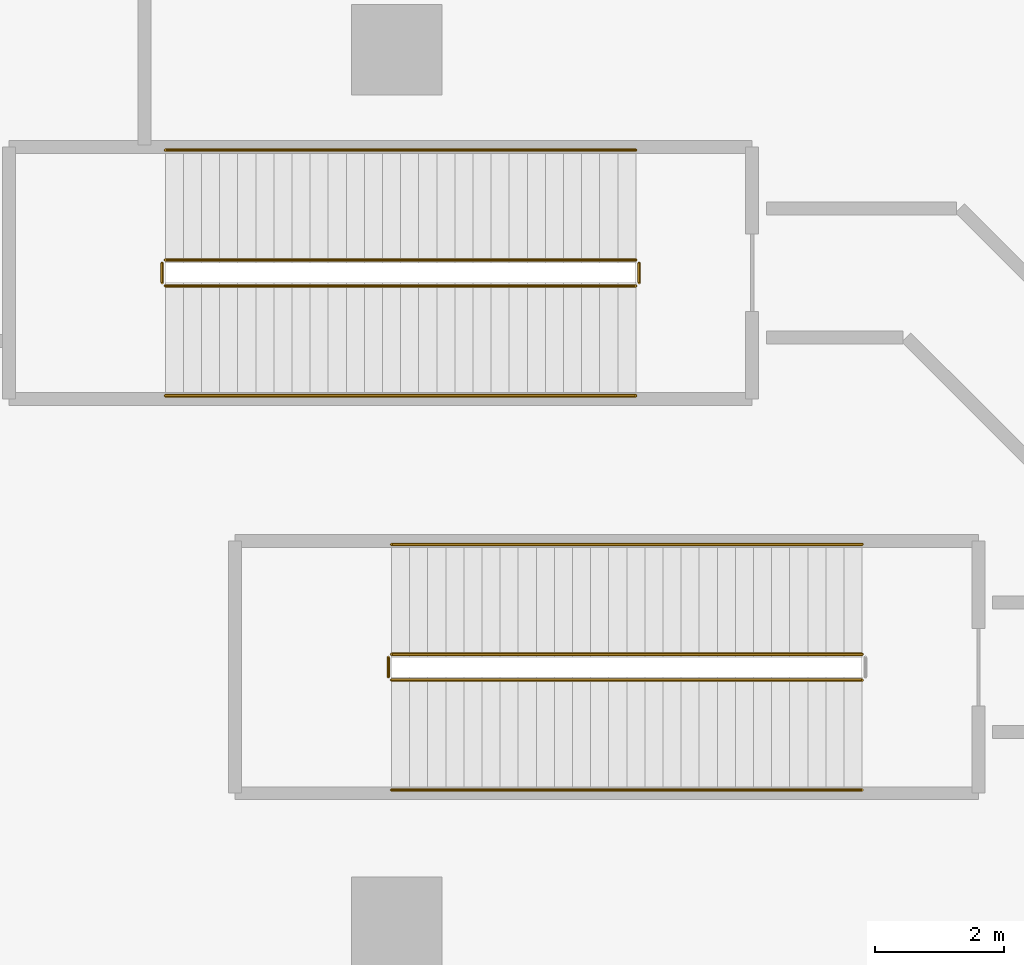
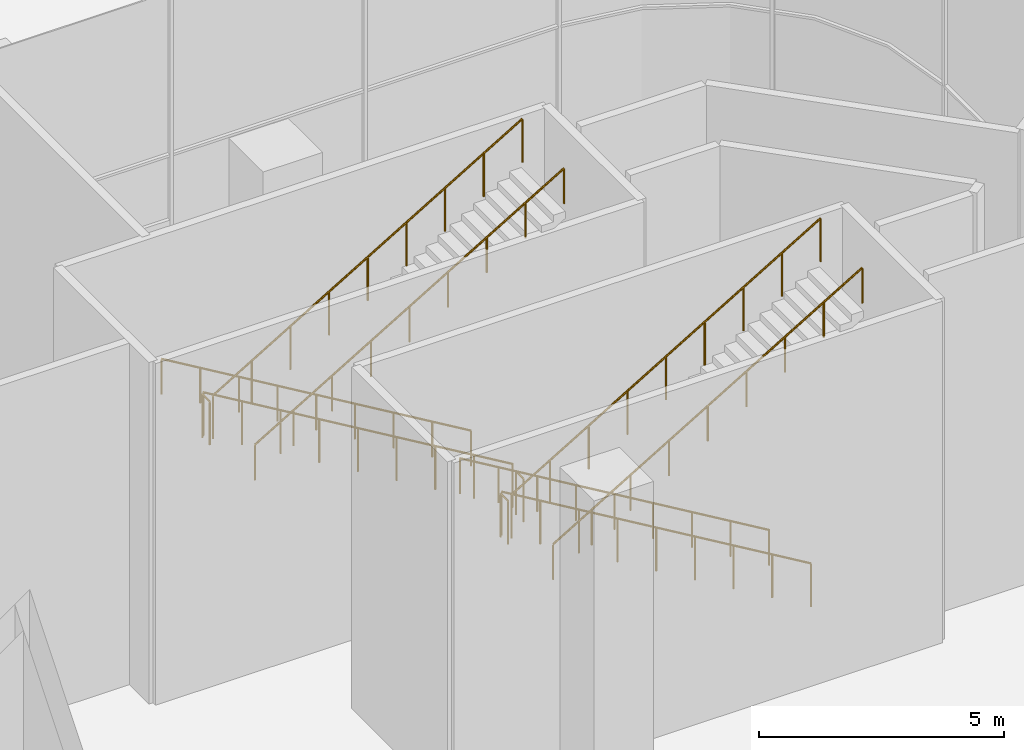
# One storey, part 50 of 54: 11 railings.
"""IFC4 building model written with IfcOpenShell, lengths in metres."""

from ifc_helpers import new_model, si_unit, direction, frame, origin, origin_2d, place, context, subcontext, project, spatial, circle, extrude, material, type_object, element, save


model = new_model("IFC4")

# Units and contexts
model_context = context("Model", 3, precision=1e-05, world=origin(), true_north=direction((0.0, 1.0)))
body_context = subcontext(model_context, "Body", "Model", "MODEL_VIEW")
ifc_project = project(units=[si_unit("LENGTHUNIT", "METRE"), si_unit("AREAUNIT", "SQUARE_METRE"), si_unit("VOLUMEUNIT", "CUBIC_METRE"), si_unit("PLANEANGLEUNIT", "RADIAN"), si_unit("MASSUNIT", "GRAM", prefix="KILO")], contexts=[model_context])

# Site, building, storey
site_placement = place(None, origin())
site = spatial("IfcSite", under=ifc_project, at=site_placement, CompositionType="ELEMENT")
building_placement = place(site_placement, origin())
building = spatial("IfcBuilding", under=site, at=building_placement, Name="Tamarind Cross Interchange Tower", CompositionType="ELEMENT")
storey_placement = place(building_placement, origin())
storey = spatial("IfcBuildingStorey", under=building, at=storey_placement, Name="L00", CompositionType="ELEMENT", Elevation=0.0)

# Railings
ifc_material_1 = material(Name="Public stair guard")
railing_type_1 = type_object("IfcRailingType", Name="Public stair guard", PredefinedType="GUARDRAIL", material=ifc_material_1)
railing_1_placement = place(storey_placement, frame((57.699951171875, 50.75, 0.166748046875)))
element("IfcRailing", 1, at=railing_1_placement, inside=storey, type_object=railing_type_1, Name="L00 XS-P01 stair guard 1", PredefinedType="GUARDRAIL", context=body_context, shape_type="SweptSolid", body=[
    extrude(circle(Radius=0.02392578125, at=origin_2d()), frame((0.0, 0.0, 1.076171875), z_axis=(-0.859298010897, 0.0, 0.511475247171), x_axis=(0.0, -1.0, 0.0)), (0.0, 0.0, 1.0), 8.47216796875),
    extrude(circle(Radius=0.02099609375, at=origin_2d()), origin(), (0.0, 0.0, 1.0), 1.052001953125),
    extrude(circle(Radius=0.02099609375, at=origin_2d()), frame((-0.909912109375, 0.0, 0.541748046875)), (0.0, 0.0, 1.0), 1.052001953125),
    extrude(circle(Radius=0.02099609375, at=origin_2d()), frame((-1.820068359375, 0.0, 1.083251953125)), (0.0, 0.0, 1.0), 1.052001953125),
    extrude(circle(Radius=0.02099609375, at=origin_2d()), frame((-2.72998046875, 0.0, 1.625)), (0.0, 0.0, 1.0), 1.052001953125),
    extrude(circle(Radius=0.02099609375, at=origin_2d()), frame((-3.64013671875, 0.0, 2.16650390625)), (0.0, 0.0, 1.0), 1.052001953125),
    extrude(circle(Radius=0.02099609375, at=origin_2d()), frame((-4.550048828125, 0.0, 2.708251953125)), (0.0, 0.0, 1.0), 1.052001953125),
    extrude(circle(Radius=0.02099609375, at=origin_2d()), frame((-5.4599609375, 0.0, 3.25)), (0.0, 0.0, 1.0), 1.052001953125),
    extrude(circle(Radius=0.02099609375, at=origin_2d()), frame((-6.3701171875, 0.0, 3.79150390625)), (0.0, 0.0, 1.0), 1.052001953125),
    extrude(circle(Radius=0.02099609375, at=origin_2d()), frame((-7.280029296875, 0.0, 4.333251953125)), (0.0, 0.0, 1.0), 1.052001953125),
])
railing_2_placement = place(storey_placement, frame((50.3701171875, 50.699951171875, 4.5)))
element("IfcRailing", 2, at=railing_2_placement, inside=storey, type_object=railing_type_1, Name="L00 XS-P01 stair guard 2", PredefinedType="GUARDRAIL", context=body_context, shape_type="SweptSolid", body=[
    extrude(circle(Radius=0.02392578125, at=origin_2d()), frame((0.0, 0.0, 1.076171875), z_axis=(0.0, -1.0, 0.0), x_axis=(1.0, 0.0, 0.0)), (0.0, 0.0, 1.0), 0.300048828125),
    extrude(circle(Radius=0.02099609375, at=origin_2d()), origin(), (0.0, 0.0, 1.0), 1.052001953125),
    extrude(circle(Radius=0.02099609375, at=origin_2d()), frame((0.0, -0.300048828125, 0.0)), (0.0, 0.0, 1.0), 1.052001953125),
])
railing_3_placement = place(storey_placement, frame((50.419921875, 50.35009765625, 4.666748046875)))
element("IfcRailing", 3, at=railing_3_placement, inside=storey, type_object=railing_type_1, Name="L00 XS-P01 stair guard 3", PredefinedType="GUARDRAIL", context=body_context, shape_type="SweptSolid", body=[
    extrude(circle(Radius=0.02392578125, at=origin_2d()), frame((0.0, 0.0, 1.076171875), z_axis=(0.859298010897, 0.0, 0.511475247171), x_axis=(0.0, 1.0, 0.0)), (0.0, 0.0, 1.0), 8.47216796875),
    extrude(circle(Radius=0.02099609375, at=origin_2d()), origin(), (0.0, 0.0, 1.0), 1.052001953125),
    extrude(circle(Radius=0.02099609375, at=origin_2d()), frame((0.909912109375, 0.0, 0.541748046875)), (0.0, 0.0, 1.0), 1.052001953125),
    extrude(circle(Radius=0.02099609375, at=origin_2d()), frame((1.820068359375, 0.0, 1.083251953125)), (0.0, 0.0, 1.0), 1.052001953125),
    extrude(circle(Radius=0.02099609375, at=origin_2d()), frame((2.72998046875, 0.0, 1.625)), (0.0, 0.0, 1.0), 1.052001953125),
    extrude(circle(Radius=0.02099609375, at=origin_2d()), frame((3.64013671875, 0.0, 2.16650390625)), (0.0, 0.0, 1.0), 1.052001953125),
    extrude(circle(Radius=0.02099609375, at=origin_2d()), frame((4.550048828125, 0.0, 2.708251953125)), (0.0, 0.0, 1.0), 1.052001953125),
    extrude(circle(Radius=0.02099609375, at=origin_2d()), frame((5.4599609375, 0.0, 3.25)), (0.0, 0.0, 1.0), 1.052001953125),
    extrude(circle(Radius=0.02099609375, at=origin_2d()), frame((6.3701171875, 0.0, 3.79150390625)), (0.0, 0.0, 1.0), 1.052001953125),
    extrude(circle(Radius=0.02099609375, at=origin_2d()), frame((7.280029296875, 0.0, 4.333251953125)), (0.0, 0.0, 1.0), 1.052001953125),
])
railing_4_placement = place(storey_placement, frame((57.75, 50.699951171875, 0.0)))
element("IfcRailing", 4, at=railing_4_placement, inside=storey, type_object=railing_type_1, Name="L00 XS-P01 stair guard 4", PredefinedType="GUARDRAIL", context=body_context, shape_type="SweptSolid", body=[
    extrude(circle(Radius=0.02392578125, at=origin_2d()), frame((0.0, 0.0, 1.076171875), z_axis=(0.0, -1.0, 0.0), x_axis=(1.0, 0.0, 0.0)), (0.0, 0.0, 1.0), 0.300048828125),
    extrude(circle(Radius=0.02099609375, at=origin_2d()), origin(), (0.0, 0.0, 1.0), 1.052001953125),
    extrude(circle(Radius=0.02099609375, at=origin_2d()), frame((0.0, -0.300048828125, 0.0)), (0.0, 0.0, 1.0), 1.052001953125),
])
railing_5_placement = place(storey_placement, frame((61.199951171875, 44.64990234375, 0.166748046875)))
element("IfcRailing", 5, at=railing_5_placement, inside=storey, type_object=railing_type_1, Name="L00 XS-P02 stair guard 1", PredefinedType="GUARDRAIL", context=body_context, shape_type="SweptSolid", body=[
    extrude(circle(Radius=0.02392578125, at=origin_2d()), frame((0.0, 0.0, 1.076171875), z_axis=(-0.859298010897, 0.0, 0.511475247171), x_axis=(0.0, -1.0, 0.0)), (0.0, 0.0, 1.0), 8.47216796875),
    extrude(circle(Radius=0.02099609375, at=origin_2d()), origin(), (0.0, 0.0, 1.0), 1.052001953125),
    extrude(circle(Radius=0.02099609375, at=origin_2d()), frame((-0.909912109375, 0.0, 0.541748046875)), (0.0, 0.0, 1.0), 1.052001953125),
    extrude(circle(Radius=0.02099609375, at=origin_2d()), frame((-1.820068359375, 0.0, 1.083251953125)), (0.0, 0.0, 1.0), 1.052001953125),
    extrude(circle(Radius=0.02099609375, at=origin_2d()), frame((-2.72998046875, 0.0, 1.625)), (0.0, 0.0, 1.0), 1.052001953125),
    extrude(circle(Radius=0.02099609375, at=origin_2d()), frame((-3.64013671875, 0.0, 2.16650390625)), (0.0, 0.0, 1.0), 1.052001953125),
    extrude(circle(Radius=0.02099609375, at=origin_2d()), frame((-4.550048828125, 0.0, 2.708251953125)), (0.0, 0.0, 1.0), 1.052001953125),
    extrude(circle(Radius=0.02099609375, at=origin_2d()), frame((-5.4599609375, 0.0, 3.25)), (0.0, 0.0, 1.0), 1.052001953125),
    extrude(circle(Radius=0.02099609375, at=origin_2d()), frame((-6.3701171875, 0.0, 3.79150390625)), (0.0, 0.0, 1.0), 1.052001953125),
    extrude(circle(Radius=0.02099609375, at=origin_2d()), frame((-7.280029296875, 0.0, 4.333251953125)), (0.0, 0.0, 1.0), 1.052001953125),
])
railing_6_placement = place(storey_placement, frame((53.8701171875, 44.60009765625, 4.5)))
element("IfcRailing", 6, at=railing_6_placement, inside=storey, type_object=railing_type_1, Name="L00 XS-P02 stair guard 2", PredefinedType="GUARDRAIL", context=body_context, shape_type="SweptSolid", body=[
    extrude(circle(Radius=0.02392578125, at=origin_2d()), frame((0.0, 0.0, 1.076171875), z_axis=(0.0, -1.0, 0.0), x_axis=(1.0, 0.0, 0.0)), (0.0, 0.0, 1.0), 0.300048828125),
    extrude(circle(Radius=0.02099609375, at=origin_2d()), origin(), (0.0, 0.0, 1.0), 1.052001953125),
    extrude(circle(Radius=0.02099609375, at=origin_2d()), frame((0.0, -0.300048828125, 0.0)), (0.0, 0.0, 1.0), 1.052001953125),
])
railing_7_placement = place(storey_placement, frame((53.919921875, 44.25, 4.666748046875)))
element("IfcRailing", 7, at=railing_7_placement, inside=storey, type_object=railing_type_1, Name="L00 XS-P02 stair guard 3", PredefinedType="GUARDRAIL", context=body_context, shape_type="SweptSolid", body=[
    extrude(circle(Radius=0.02392578125, at=origin_2d()), frame((0.0, 0.0, 1.076171875), z_axis=(0.859298010897, 0.0, 0.511475247171), x_axis=(0.0, 1.0, 0.0)), (0.0, 0.0, 1.0), 8.47216796875),
    extrude(circle(Radius=0.02099609375, at=origin_2d()), origin(), (0.0, 0.0, 1.0), 1.052001953125),
    extrude(circle(Radius=0.02099609375, at=origin_2d()), frame((0.909912109375, 0.0, 0.541748046875)), (0.0, 0.0, 1.0), 1.052001953125),
    extrude(circle(Radius=0.02099609375, at=origin_2d()), frame((1.820068359375, 0.0, 1.083251953125)), (0.0, 0.0, 1.0), 1.052001953125),
    extrude(circle(Radius=0.02099609375, at=origin_2d()), frame((2.72998046875, 0.0, 1.625)), (0.0, 0.0, 1.0), 1.052001953125),
    extrude(circle(Radius=0.02099609375, at=origin_2d()), frame((3.64013671875, 0.0, 2.16650390625)), (0.0, 0.0, 1.0), 1.052001953125),
    extrude(circle(Radius=0.02099609375, at=origin_2d()), frame((4.550048828125, 0.0, 2.708251953125)), (0.0, 0.0, 1.0), 1.052001953125),
    extrude(circle(Radius=0.02099609375, at=origin_2d()), frame((5.4599609375, 0.0, 3.25)), (0.0, 0.0, 1.0), 1.052001953125),
    extrude(circle(Radius=0.02099609375, at=origin_2d()), frame((6.3701171875, 0.0, 3.79150390625)), (0.0, 0.0, 1.0), 1.052001953125),
    extrude(circle(Radius=0.02099609375, at=origin_2d()), frame((7.280029296875, 0.0, 4.333251953125)), (0.0, 0.0, 1.0), 1.052001953125),
])
ifc_material_2 = material(Name="Public stair handrail")
railing_type_2 = type_object("IfcRailingType", Name="Public stair handrail", PredefinedType="HANDRAIL", material=ifc_material_2)
railing_8_placement = place(storey_placement, frame((57.699951171875, 52.449951171875, 0.166748046875)))
element("IfcRailing", 8, at=railing_8_placement, inside=storey, type_object=railing_type_2, Name="L00 XS-P01 stair handrail 1", PredefinedType="HANDRAIL", context=body_context, shape_type="SweptSolid", body=[
    extrude(circle(Radius=0.02392578125, at=origin_2d()), frame((0.0, 0.0, 0.8759765625), z_axis=(-0.859298010897, 0.0, 0.511475247171), x_axis=(0.0, -1.0, 0.0)), (0.0, 0.0, 1.0), 8.47216796875),
    extrude(circle(Radius=0.02099609375, at=origin_2d()), origin(), (0.0, 0.0, 1.0), 0.851806640625),
    extrude(circle(Radius=0.02099609375, at=origin_2d()), frame((-0.909912109375, 0.0, 0.541748046875)), (0.0, 0.0, 1.0), 0.851806640625),
    extrude(circle(Radius=0.02099609375, at=origin_2d()), frame((-1.820068359375, 0.0, 1.083251953125)), (0.0, 0.0, 1.0), 0.851806640625),
    extrude(circle(Radius=0.02099609375, at=origin_2d()), frame((-2.72998046875, 0.0, 1.625)), (0.0, 0.0, 1.0), 0.851806640625),
    extrude(circle(Radius=0.02099609375, at=origin_2d()), frame((-3.64013671875, 0.0, 2.16650390625)), (0.0, 0.0, 1.0), 0.851806640625),
    extrude(circle(Radius=0.02099609375, at=origin_2d()), frame((-4.550048828125, 0.0, 2.708251953125)), (0.0, 0.0, 1.0), 0.851806640625),
    extrude(circle(Radius=0.02099609375, at=origin_2d()), frame((-5.4599609375, 0.0, 3.25)), (0.0, 0.0, 1.0), 0.851806640625),
    extrude(circle(Radius=0.02099609375, at=origin_2d()), frame((-6.3701171875, 0.0, 3.79150390625)), (0.0, 0.0, 1.0), 0.851806640625),
    extrude(circle(Radius=0.02099609375, at=origin_2d()), frame((-7.280029296875, 0.0, 4.333251953125)), (0.0, 0.0, 1.0), 0.851806640625),
])
railing_9_placement = place(storey_placement, frame((50.419921875, 48.64990234375, 4.666748046875)))
element("IfcRailing", 9, at=railing_9_placement, inside=storey, type_object=railing_type_2, Name="L00 XS-P01 stair handrail 2", PredefinedType="HANDRAIL", context=body_context, shape_type="SweptSolid", body=[
    extrude(circle(Radius=0.02392578125, at=origin_2d()), frame((0.0, 0.0, 0.8759765625), z_axis=(0.859298010897, 0.0, 0.511475247171), x_axis=(0.0, 1.0, 0.0)), (0.0, 0.0, 1.0), 8.47216796875),
    extrude(circle(Radius=0.02099609375, at=origin_2d()), origin(), (0.0, 0.0, 1.0), 0.851806640625),
    extrude(circle(Radius=0.02099609375, at=origin_2d()), frame((0.909912109375, 0.0, 0.541748046875)), (0.0, 0.0, 1.0), 0.851806640625),
    extrude(circle(Radius=0.02099609375, at=origin_2d()), frame((1.820068359375, 0.0, 1.083251953125)), (0.0, 0.0, 1.0), 0.851806640625),
    extrude(circle(Radius=0.02099609375, at=origin_2d()), frame((2.72998046875, 0.0, 1.625)), (0.0, 0.0, 1.0), 0.851806640625),
    extrude(circle(Radius=0.02099609375, at=origin_2d()), frame((3.64013671875, 0.0, 2.16650390625)), (0.0, 0.0, 1.0), 0.851806640625),
    extrude(circle(Radius=0.02099609375, at=origin_2d()), frame((4.550048828125, 0.0, 2.708251953125)), (0.0, 0.0, 1.0), 0.851806640625),
    extrude(circle(Radius=0.02099609375, at=origin_2d()), frame((5.4599609375, 0.0, 3.25)), (0.0, 0.0, 1.0), 0.851806640625),
    extrude(circle(Radius=0.02099609375, at=origin_2d()), frame((6.3701171875, 0.0, 3.79150390625)), (0.0, 0.0, 1.0), 0.851806640625),
    extrude(circle(Radius=0.02099609375, at=origin_2d()), frame((7.280029296875, 0.0, 4.333251953125)), (0.0, 0.0, 1.0), 0.851806640625),
])
railing_10_placement = place(storey_placement, frame((61.199951171875, 46.35009765625, 0.166748046875)))
element("IfcRailing", 10, at=railing_10_placement, inside=storey, type_object=railing_type_2, Name="L00 XS-P02 stair handrail 1", PredefinedType="HANDRAIL", context=body_context, shape_type="SweptSolid", body=[
    extrude(circle(Radius=0.02392578125, at=origin_2d()), frame((0.0, 0.0, 0.8759765625), z_axis=(-0.859298010897, 0.0, 0.511475247171), x_axis=(0.0, -1.0, 0.0)), (0.0, 0.0, 1.0), 8.47216796875),
    extrude(circle(Radius=0.02099609375, at=origin_2d()), origin(), (0.0, 0.0, 1.0), 0.851806640625),
    extrude(circle(Radius=0.02099609375, at=origin_2d()), frame((-0.909912109375, 0.0, 0.541748046875)), (0.0, 0.0, 1.0), 0.851806640625),
    extrude(circle(Radius=0.02099609375, at=origin_2d()), frame((-1.820068359375, 0.0, 1.083251953125)), (0.0, 0.0, 1.0), 0.851806640625),
    extrude(circle(Radius=0.02099609375, at=origin_2d()), frame((-2.72998046875, 0.0, 1.625)), (0.0, 0.0, 1.0), 0.851806640625),
    extrude(circle(Radius=0.02099609375, at=origin_2d()), frame((-3.64013671875, 0.0, 2.16650390625)), (0.0, 0.0, 1.0), 0.851806640625),
    extrude(circle(Radius=0.02099609375, at=origin_2d()), frame((-4.550048828125, 0.0, 2.708251953125)), (0.0, 0.0, 1.0), 0.851806640625),
    extrude(circle(Radius=0.02099609375, at=origin_2d()), frame((-5.4599609375, 0.0, 3.25)), (0.0, 0.0, 1.0), 0.851806640625),
    extrude(circle(Radius=0.02099609375, at=origin_2d()), frame((-6.3701171875, 0.0, 3.79150390625)), (0.0, 0.0, 1.0), 0.851806640625),
    extrude(circle(Radius=0.02099609375, at=origin_2d()), frame((-7.280029296875, 0.0, 4.333251953125)), (0.0, 0.0, 1.0), 0.851806640625),
])
railing_11_placement = place(storey_placement, frame((53.919921875, 42.550048828125, 4.666748046875)))
element("IfcRailing", 11, at=railing_11_placement, inside=storey, type_object=railing_type_2, Name="L00 XS-P02 stair handrail 2", PredefinedType="HANDRAIL", context=body_context, shape_type="SweptSolid", body=[
    extrude(circle(Radius=0.02392578125, at=origin_2d()), frame((0.0, 0.0, 0.8759765625), z_axis=(0.859298010897, 0.0, 0.511475247171), x_axis=(0.0, 1.0, 0.0)), (0.0, 0.0, 1.0), 8.47216796875),
    extrude(circle(Radius=0.02099609375, at=origin_2d()), origin(), (0.0, 0.0, 1.0), 0.851806640625),
    extrude(circle(Radius=0.02099609375, at=origin_2d()), frame((0.909912109375, 0.0, 0.541748046875)), (0.0, 0.0, 1.0), 0.851806640625),
    extrude(circle(Radius=0.02099609375, at=origin_2d()), frame((1.820068359375, 0.0, 1.083251953125)), (0.0, 0.0, 1.0), 0.851806640625),
    extrude(circle(Radius=0.02099609375, at=origin_2d()), frame((2.72998046875, 0.0, 1.625)), (0.0, 0.0, 1.0), 0.851806640625),
    extrude(circle(Radius=0.02099609375, at=origin_2d()), frame((3.64013671875, 0.0, 2.16650390625)), (0.0, 0.0, 1.0), 0.851806640625),
    extrude(circle(Radius=0.02099609375, at=origin_2d()), frame((4.550048828125, 0.0, 2.708251953125)), (0.0, 0.0, 1.0), 0.851806640625),
    extrude(circle(Radius=0.02099609375, at=origin_2d()), frame((5.4599609375, 0.0, 3.25)), (0.0, 0.0, 1.0), 0.851806640625),
    extrude(circle(Radius=0.02099609375, at=origin_2d()), frame((6.3701171875, 0.0, 3.79150390625)), (0.0, 0.0, 1.0), 0.851806640625),
    extrude(circle(Radius=0.02099609375, at=origin_2d()), frame((7.280029296875, 0.0, 4.333251953125)), (0.0, 0.0, 1.0), 0.851806640625),
])

save(model, "model.ifc")
